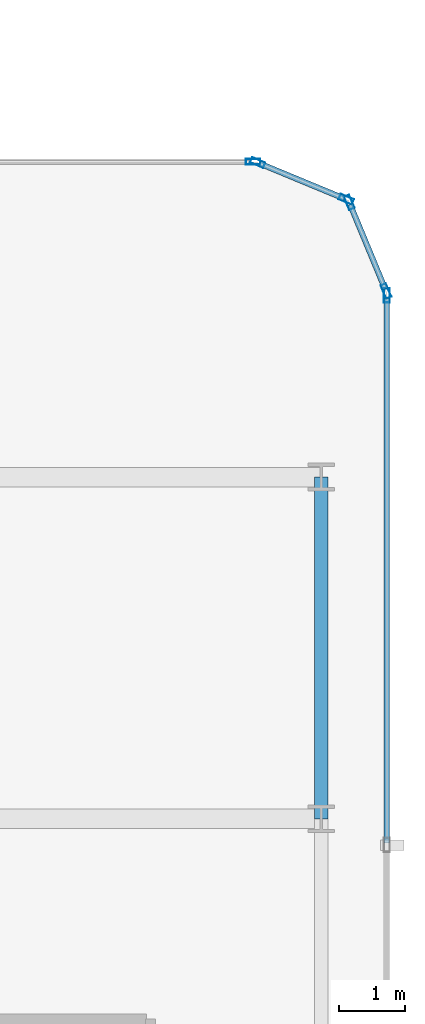
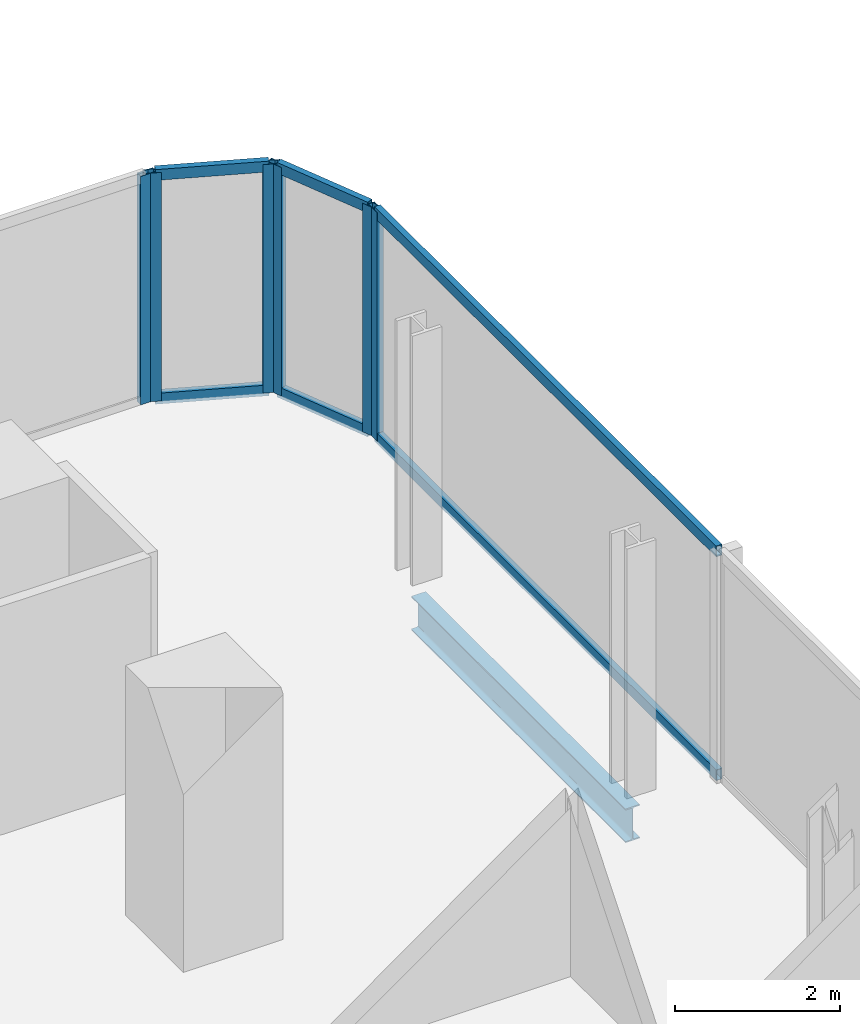
# One storey, part 19 of 35: 12 members, 1 beam, 4 elements without a shape of their own.
"""IFC4 building model written with IfcOpenShell, lengths in metres."""

from ifc_helpers import new_model, si_unit, direction, frame, origin, origin_2d, place, context, subcontext, project, spatial, hollow_rectangle, i_section, extrude, material, layer, layer_set, material_profile, profile_set, type_object, element, aggregate, save


model = new_model("IFC4")

# Units and contexts
model_context = context("Model", 3, precision=1e-05, world=origin(), true_north=direction((0.0, 1.0)))
body_context = subcontext(model_context, "Body", "Model", "MODEL_VIEW")
ifc_project = project(units=[si_unit("LENGTHUNIT", "METRE"), si_unit("AREAUNIT", "SQUARE_METRE"), si_unit("VOLUMEUNIT", "CUBIC_METRE"), si_unit("PLANEANGLEUNIT", "RADIAN"), si_unit("MASSUNIT", "GRAM", prefix="KILO")], contexts=[model_context])

# Site, building, storey
site_placement = place(None, origin())
site = spatial("IfcSite", under=ifc_project, at=site_placement, CompositionType="ELEMENT")
building_placement = place(site_placement, origin())
building = spatial("IfcBuilding", under=site, at=building_placement, Name="Keshet Zoharim Tower", CompositionType="ELEMENT")
storey_placement = place(building_placement, frame((0.0, 0.0, 24.0)))
storey = spatial("IfcBuildingStorey", under=building, at=storey_placement, Name="L04", CompositionType="ELEMENT", Elevation=24.0)

# Beam
ifc_material_1 = material(Name="Steel S355", Category="steel")
ifc_material_profile_1 = material_profile(ifc_material_1, i_section(OverallWidth=0.199951171875, OverallDepth=0.5, WebThickness=0.01025390625, FlangeThickness=0.01611328125, FilletRadius=0.02099609375, at=origin_2d()), Name="IPE500")
ifc_profile_set_1 = profile_set([ifc_material_profile_1], Name="Steel S355")
beam_type = type_object("IfcBeamType", Name="BM-PRI-IP500", PredefinedType="BEAM", material=ifc_profile_set_1)
beam_placement = place(storey_placement, frame((69.0, 22.699951171875, -0.56494140625), z_axis=(0.0, 1.0, 0.0), x_axis=(-1.0, 0.0, 0.0)))
element("IfcBeam", 1, at=beam_placement, inside=storey, type_object=beam_type, Name="L04 Primary Girder Y-025", PredefinedType="BEAM", context=body_context, shape_type="SweptSolid", body=[
    extrude(i_section(OverallWidth=0.199951171875, OverallDepth=0.5, WebThickness=0.01025390625, FlangeThickness=0.01611328125, FilletRadius=0.02099609375, at=origin_2d()), origin(), (0.0, 0.0, 1.0), 5.199951171875),
])

# Curtain wall, member
ifc_material_2 = material(Name="Aluminium 6063-T6", Category="aluminium")
ifc_layer = layer(ifc_material_2, 0.169921875)
ifc_layer_set = layer_set([ifc_layer], Name="Aluminium 6063-T6")
curtain_wall_type = type_object("IfcCurtainWallType", Name="CW-SYS-02", PredefinedType="NOTDEFINED", material=ifc_layer_set)
curtain_wall_1_placement = place(storey_placement, origin())
curtain_wall_1 = element("IfcCurtainWall", 2, at=curtain_wall_1_placement, inside=storey, type_object=curtain_wall_type, Name="L04 Unitised Curtain Wall 13", PredefinedType="NOTDEFINED")
ifc_material_profile_2 = material_profile(ifc_material_2, hollow_rectangle(XDim=0.090087890625, YDim=0.219970703125, WallThickness=0.0048828125, at=origin_2d()), Name="MUL-90x220")
ifc_profile_set_2 = profile_set([ifc_material_profile_2], Name="Aluminium 6063-T6")
member_type_1 = type_object("IfcMemberType", Name="CWM-M22", PredefinedType="MULLION", material=ifc_profile_set_2)
member_1_placement = place(storey_placement, frame((67.965087890625, 32.699951171875, 0.0), z_axis=(0.0, 0.0, 1.0), x_axis=(0.0, 1.0, 0.0)))
member_1 = element("IfcMember", 3, at=member_1_placement, type_object=member_type_1, Name="CW-02 mullion 2", PredefinedType="MULLION", context=body_context, shape_type="SweptSolid", body=[
    extrude(hollow_rectangle(XDim=0.090087890625, YDim=0.219970703125, WallThickness=0.0048828125, at=origin_2d()), origin(), (0.0, 0.0, 1.0), 3.385009765625),
])
aggregate(curtain_wall_1, [member_1])

# Curtain wall, members
curtain_wall_2_placement = place(storey_placement, origin())
curtain_wall_2 = element("IfcCurtainWall", 4, at=curtain_wall_2_placement, inside=storey, type_object=curtain_wall_type, Name="L04 Unitised Curtain Wall 14", PredefinedType="NOTDEFINED")
member_2_placement = place(storey_placement, frame((68.0322265625, 32.6865234375, 0.0), z_axis=(0.0, 0.0, 1.0), x_axis=(0.382851849847, 0.92380975372, 0.0)))
member_2 = element("IfcMember", 5, at=member_2_placement, type_object=member_type_1, Name="CW-02 mullion 1", PredefinedType="MULLION", context=body_context, shape_type="SweptSolid", body=[
    extrude(hollow_rectangle(XDim=0.090087890625, YDim=0.219970703125, WallThickness=0.0048828125, at=origin_2d()), origin(), (0.0, 0.0, 1.0), 3.385009765625),
])
member_3_placement = place(storey_placement, frame((69.381591796875, 32.12744140625, 0.0), z_axis=(0.0, 0.0, 1.0), x_axis=(0.382851849847, 0.92380975372, 0.0)))
member_3 = element("IfcMember", 6, at=member_3_placement, type_object=member_type_1, Name="CW-02 mullion 2", PredefinedType="MULLION", context=body_context, shape_type="SweptSolid", body=[
    extrude(hollow_rectangle(XDim=0.090087890625, YDim=0.219970703125, WallThickness=0.0048828125, at=origin_2d()), origin(), (0.0, 0.0, 1.0), 3.385009765625),
])

curtain_wall_3_placement = place(storey_placement, origin())
curtain_wall_3 = element("IfcCurtainWall", 7, at=curtain_wall_3_placement, inside=storey, type_object=curtain_wall_type, Name="L04 Unitised Curtain Wall 15", PredefinedType="NOTDEFINED")
member_4_placement = place(storey_placement, frame((69.427490234375, 32.081787109375, 0.0), z_axis=(0.0, 0.0, 1.0), x_axis=(0.92380975372, 0.382851849847, 0.0)))
member_4 = element("IfcMember", 8, at=member_4_placement, type_object=member_type_1, Name="CW-02 mullion 1", PredefinedType="MULLION", context=body_context, shape_type="SweptSolid", body=[
    extrude(hollow_rectangle(XDim=0.090087890625, YDim=0.219970703125, WallThickness=0.0048828125, at=origin_2d()), origin(), (0.0, 0.0, 1.0), 3.385009765625),
])
member_5_placement = place(storey_placement, frame((69.986572265625, 30.732421875, 0.0), z_axis=(0.0, 0.0, 1.0), x_axis=(0.92380975372, 0.382851849847, 0.0)))
member_5 = element("IfcMember", 9, at=member_5_placement, type_object=member_type_1, Name="CW-02 mullion 2", PredefinedType="MULLION", context=body_context, shape_type="SweptSolid", body=[
    extrude(hollow_rectangle(XDim=0.090087890625, YDim=0.219970703125, WallThickness=0.0048828125, at=origin_2d()), origin(), (0.0, 0.0, 1.0), 3.385009765625),
])

# Curtain wall, member
curtain_wall_4_placement = place(storey_placement, origin())
curtain_wall_4 = element("IfcCurtainWall", 10, at=curtain_wall_4_placement, inside=storey, type_object=curtain_wall_type, Name="L04 Unitised Curtain Wall 16", PredefinedType="NOTDEFINED")
member_6_placement = place(storey_placement, frame((70.0, 30.6650390625, 0.0), z_axis=(0.0, 0.0, 1.0), x_axis=(1.0, 0.0, 0.0)))
member_6 = element("IfcMember", 11, at=member_6_placement, type_object=member_type_1, Name="CW-02 mullion 1", PredefinedType="MULLION", context=body_context, shape_type="SweptSolid", body=[
    extrude(hollow_rectangle(XDim=0.090087890625, YDim=0.219970703125, WallThickness=0.0048828125, at=origin_2d()), origin(), (0.0, 0.0, 1.0), 3.385009765625),
])

# Member
ifc_material_profile_3 = material_profile(ifc_material_2, hollow_rectangle(XDim=0.0849609375, YDim=0.159912109375, WallThickness=0.00439453125, at=origin_2d()), Name="TRN-85x160")
ifc_profile_set_3 = profile_set([ifc_material_profile_3], Name="Aluminium 6063-T6")
member_type_2 = type_object("IfcMemberType", Name="CWT-T16", PredefinedType="USERDEFINED", material=ifc_profile_set_3)
member_7_placement = place(storey_placement, frame((68.064697265625, 32.673095703125, 0.034912109375), z_axis=(0.923854189844, -0.382744609247, 0.0), x_axis=(0.382744609247, 0.923854189844, 0.0)))
member_7 = element("IfcMember", 12, at=member_7_placement, type_object=member_type_2, Name="CW-02 transom 1.1", ObjectType="TRANSOM", PredefinedType="USERDEFINED", context=body_context, shape_type="SweptSolid", body=[
    extrude(hollow_rectangle(XDim=0.0849609375, YDim=0.159912109375, WallThickness=0.00439453125, at=origin_2d()), origin(), (0.0, 0.0, 1.0), 1.390625),
])

member_8_placement = place(storey_placement, frame((68.064697265625, 32.673095703125, 3.35009765625), z_axis=(0.923854189844, -0.382744609247, 0.0), x_axis=(0.382744609247, 0.923854189844, 0.0)))
member_8 = element("IfcMember", 13, at=member_8_placement, type_object=member_type_2, Name="CW-02 transom 1.2", ObjectType="TRANSOM", PredefinedType="USERDEFINED", context=body_context, shape_type="SweptSolid", body=[
    extrude(hollow_rectangle(XDim=0.0849609375, YDim=0.159912109375, WallThickness=0.00439453125, at=origin_2d()), origin(), (0.0, 0.0, 1.0), 1.390625),
])

aggregate(curtain_wall_2, [member_2, member_3, member_7, member_8])

member_9_placement = place(storey_placement, frame((69.44091796875, 32.04931640625, 0.034912109375), z_axis=(0.382744609247, -0.923854189844, 0.0), x_axis=(0.923854189844, 0.382744609247, 0.0)))
member_9 = element("IfcMember", 14, at=member_9_placement, type_object=member_type_2, Name="CW-02 transom 1.1", ObjectType="TRANSOM", PredefinedType="USERDEFINED", context=body_context, shape_type="SweptSolid", body=[
    extrude(hollow_rectangle(XDim=0.0849609375, YDim=0.159912109375, WallThickness=0.00439453125, at=origin_2d()), origin(), (0.0, 0.0, 1.0), 1.390625),
])

member_10_placement = place(storey_placement, frame((69.44091796875, 32.04931640625, 3.35009765625), z_axis=(0.382744609247, -0.923854189844, 0.0), x_axis=(0.923854189844, 0.382744609247, 0.0)))
member_10 = element("IfcMember", 15, at=member_10_placement, type_object=member_type_2, Name="CW-02 transom 1.2", ObjectType="TRANSOM", PredefinedType="USERDEFINED", context=body_context, shape_type="SweptSolid", body=[
    extrude(hollow_rectangle(XDim=0.0849609375, YDim=0.159912109375, WallThickness=0.00439453125, at=origin_2d()), origin(), (0.0, 0.0, 1.0), 1.390625),
])

aggregate(curtain_wall_3, [member_4, member_5, member_9, member_10])

member_11_placement = place(storey_placement, frame((70.0, 30.6298828125, 0.034912109375), z_axis=(0.0, -1.0, 0.0), x_axis=(1.0, 0.0, 0.0)))
member_11 = element("IfcMember", 16, at=member_11_placement, type_object=member_type_2, Name="CW-02 transom 1.1", ObjectType="TRANSOM", PredefinedType="USERDEFINED", context=body_context, shape_type="SweptSolid", body=[
    extrude(hollow_rectangle(XDim=0.0849609375, YDim=0.159912109375, WallThickness=0.00439453125, at=origin_2d()), origin(), (0.0, 0.0, 1.0), 8.29638671875),
])

member_12_placement = place(storey_placement, frame((70.0, 30.6298828125, 3.35009765625), z_axis=(0.0, -1.0, 0.0), x_axis=(1.0, 0.0, 0.0)))
member_12 = element("IfcMember", 17, at=member_12_placement, type_object=member_type_2, Name="CW-02 transom 1.2", ObjectType="TRANSOM", PredefinedType="USERDEFINED", context=body_context, shape_type="SweptSolid", body=[
    extrude(hollow_rectangle(XDim=0.0849609375, YDim=0.159912109375, WallThickness=0.00439453125, at=origin_2d()), origin(), (0.0, 0.0, 1.0), 8.29638671875),
])

aggregate(curtain_wall_4, [member_6, member_11, member_12])

save(model, "model.ifc")
